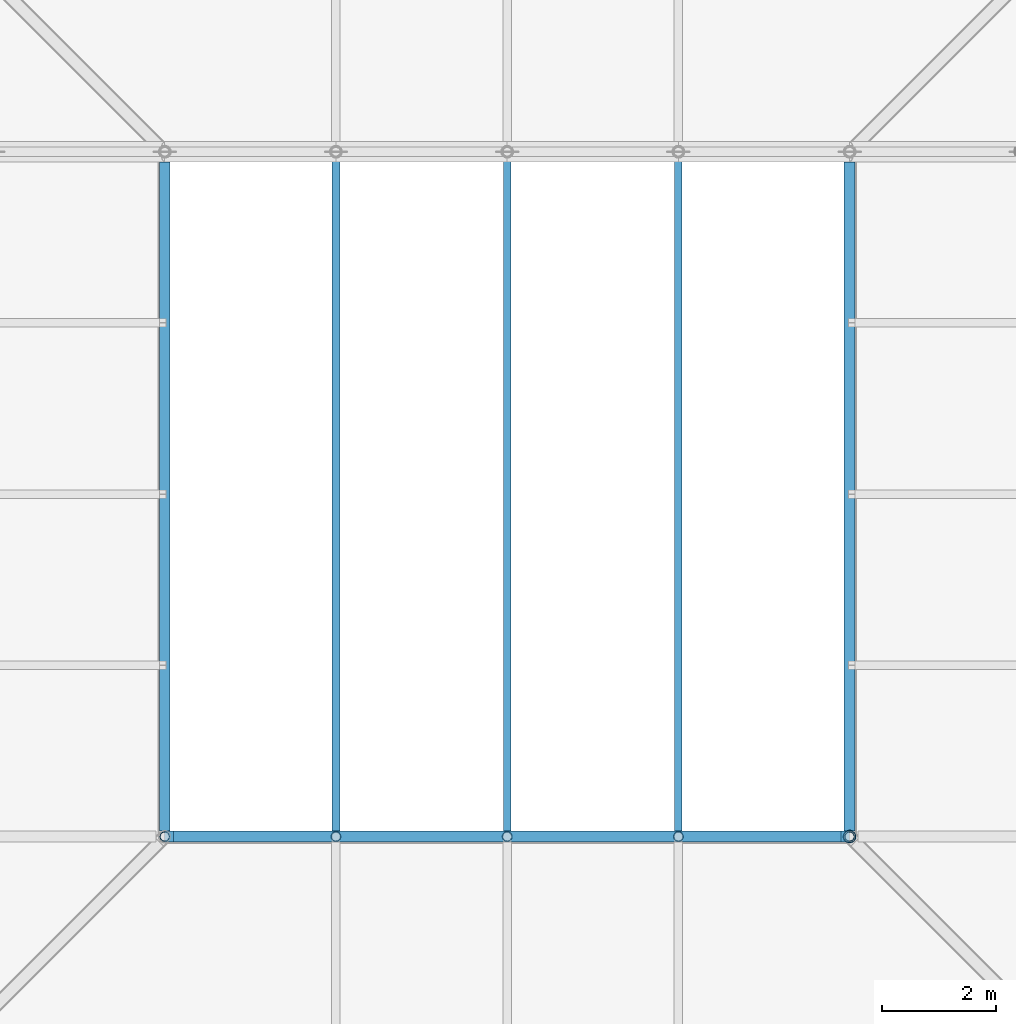
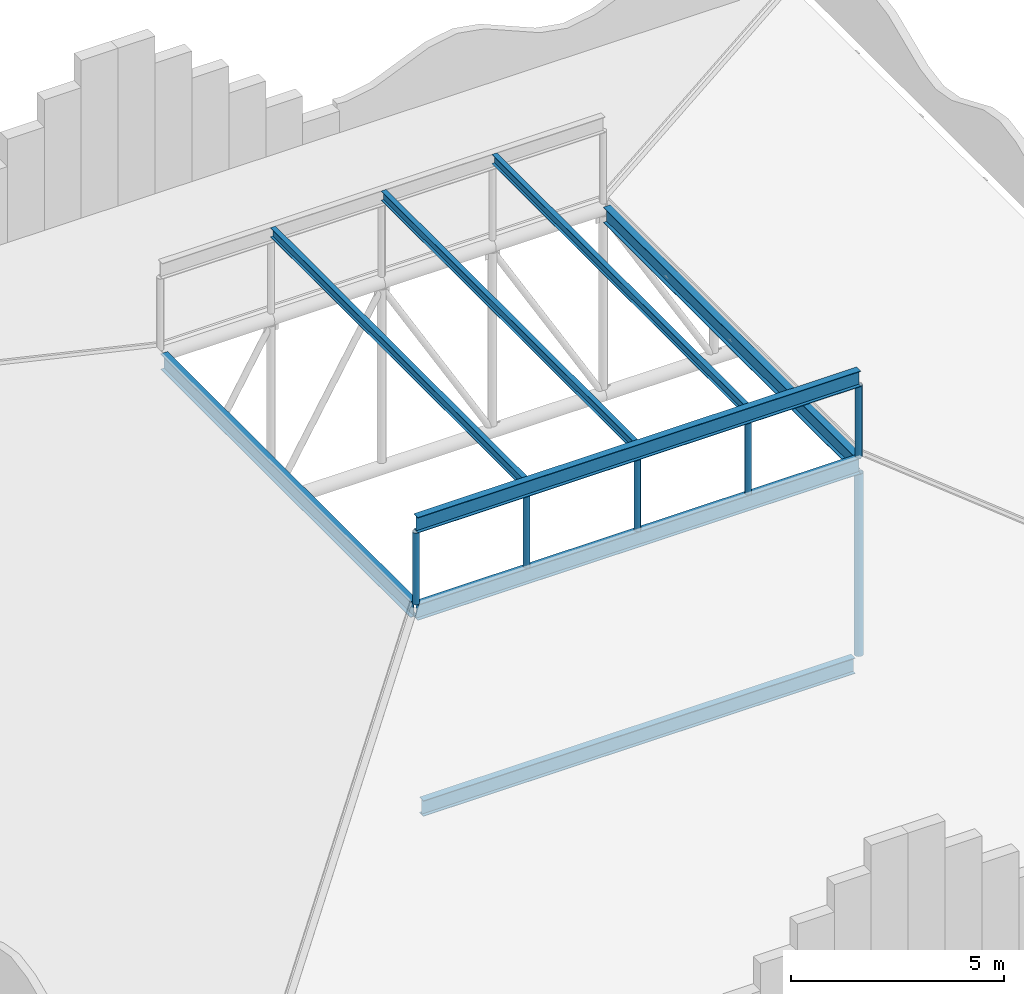
# One storey, part 229 of 321: 9 members, 5 beams.
"""IFC4 building model written with IfcOpenShell, lengths in metres."""

from ifc_helpers import new_model, si_unit, direction, frame, origin, origin_2d, place, context, subcontext, project, spatial, hollow_circle, i_section, extrude, material, material_profile, profile_set, type_object, element, save


model = new_model("IFC4")

# Units and contexts
model_context = context("Model", 3, precision=1e-05, world=origin(), true_north=direction((0.0, 1.0)))
body_context = subcontext(model_context, "Body", "Model", "MODEL_VIEW")
ifc_project = project(units=[si_unit("LENGTHUNIT", "METRE"), si_unit("AREAUNIT", "SQUARE_METRE"), si_unit("VOLUMEUNIT", "CUBIC_METRE"), si_unit("PLANEANGLEUNIT", "RADIAN"), si_unit("MASSUNIT", "GRAM", prefix="KILO")], contexts=[model_context])

# Site, building, storey
site_placement = place(None, origin())
site = spatial("IfcSite", under=ifc_project, at=site_placement, CompositionType="ELEMENT")
building_placement = place(site_placement, origin())
building = spatial("IfcBuilding", under=site, at=building_placement, Name="Ravi Spectrum Wholesale Market", CompositionType="ELEMENT")
storey_placement = place(building_placement, frame((0.0, 0.0, 10.800048828125)))
storey = spatial("IfcBuildingStorey", under=building, at=storey_placement, Name="L02", CompositionType="ELEMENT", Elevation=10.800048828125)

# Members
ifc_material_1 = material(Name="Steel S355", Category="steel")
ifc_material_profile_1 = material_profile(ifc_material_1, hollow_circle(Radius=0.084228515625, WallThickness=0.00634765625, at=origin_2d()))
ifc_profile_set_1 = profile_set([ifc_material_profile_1], Name="Steel S355")
member_type_1 = type_object("IfcMemberType", Name="CHS 168.3x6.3 post", PredefinedType="POST", material=ifc_profile_set_1)
for number, where, z_axis, x_axis, name in (
    (1, (174.0, 210.0, 5.668701171875), (0.0, 0.0, 1.0), (1.0, 0.0, 0.0), "AU-MB-L02-075"),
    (2, (177.0, 210.0, 5.668701171875), (0.0, 0.0, 1.0), (1.0, 0.0, 0.0), "AU-MB-L02-077"),
    (3, (180.0, 210.0, 5.668701171875), (0.0, 0.0, 1.0), (1.0, 0.0, 0.0), "AU-MB-L02-079"),
    (4, (183.0, 210.0, 5.668701171875), (0.0, 0.0, 1.0), (1.0, 0.0, 0.0), "AU-MB-L02-081"),
    (5, (186.0, 210.0, 5.668701171875), (0.0, 0.0, 1.0), (1.0, 0.0, 0.0), "AU-MB-L02-083"),
):
    element("IfcMember", number, at=place(storey_placement, frame(where, z_axis=z_axis, x_axis=x_axis)), inside=storey, type_object=member_type_1, Name=name, PredefinedType="POST", context=body_context, shape_type="SweptSolid", body=[
        extrude(hollow_circle(Radius=0.084228515625, WallThickness=0.00634765625, at=origin_2d()), origin(), (0.0, 0.0, 1.0), 2.05126953125),
    ])
ifc_material_2 = material(Name="Steel S355", Category="steel")
ifc_material_profile_2 = material_profile(ifc_material_2, hollow_circle(Radius=0.109619140625, WallThickness=0.008056640625, at=origin_2d()))
ifc_profile_set_2 = profile_set([ifc_material_profile_2], Name="Steel S355")
member_type_2 = type_object("IfcMemberType", Name="CHS 219.1x8 post", PredefinedType="POST", material=ifc_profile_set_2)
member_placement = place(storey_placement, frame((186.0, 210.0, 0.0), z_axis=(0.0, 0.0, 1.0), x_axis=(1.0, 0.0, 0.0)))
element("IfcMember", 6, at=member_placement, inside=storey, type_object=member_type_2, Name="AU-MB-L02-074", PredefinedType="POST", context=body_context, shape_type="SweptSolid", body=[
    extrude(hollow_circle(Radius=0.109619140625, WallThickness=0.008056640625, at=origin_2d()), origin(), (0.0, 0.0, 1.0), 5.218505859375),
])
ifc_material_3 = material(Name="Steel S355", Category="steel")
ifc_material_profile_3 = material_profile(ifc_material_3, i_section(OverallWidth=0.135009765625, OverallDepth=0.27001953125, WebThickness=0.006591796875, FlangeThickness=0.01025390625, at=origin_2d()))
ifc_profile_set_3 = profile_set([ifc_material_profile_3], Name="Steel S355")
member_type_3 = type_object("IfcMemberType", Name="IPE 270 purlin", PredefinedType="PURLIN", material=ifc_profile_set_3)
for number, where, z_axis, x_axis, name in (
    (7, (177.0, 210.094970703125, 8.034912109375), (0.0, 1.0, 0.0), (-1.0, 0.0, 0.0), "AU-MB-L02-085"),
    (8, (180.0, 210.094970703125, 8.034912109375), (0.0, 1.0, 0.0), (-1.0, 0.0, 0.0), "AU-MB-L02-086"),
    (9, (183.0, 210.094970703125, 8.034912109375), (0.0, 1.0, 0.0), (-1.0, 0.0, 0.0), "AU-MB-L02-087"),
):
    element("IfcMember", number, at=place(storey_placement, frame(where, z_axis=z_axis, x_axis=x_axis)), inside=storey, type_object=member_type_3, Name=name, PredefinedType="PURLIN", context=body_context, shape_type="SweptSolid", body=[
        extrude(i_section(OverallWidth=0.135009765625, OverallDepth=0.27001953125, WebThickness=0.006591796875, FlangeThickness=0.01025390625, at=origin_2d()), origin(), (0.0, 0.0, 1.0), 11.81005859375),
    ])

# Beams
ifc_material_4 = material(Name="Steel S355", Category="steel")
ifc_material_profile_4 = material_profile(ifc_material_4, i_section(OverallWidth=0.18994140625, OverallDepth=0.449951171875, WebThickness=0.009521484375, FlangeThickness=0.0146484375, at=origin_2d()))
ifc_profile_set_4 = profile_set([ifc_material_profile_4], Name="Steel S355")
beam_type = type_object("IfcBeamType", Name="IPE 450 girder", PredefinedType="BEAM", material=ifc_profile_set_4)
beam_1_placement = place(storey_placement, frame((174.14990234375, 210.0, -0.22509765625), z_axis=(1.0, 0.0, 0.0), x_axis=(0.0, 1.0, 0.0)))
element("IfcBeam", 10, at=beam_1_placement, inside=storey, type_object=beam_type, Name="AU-BM-L02-008", PredefinedType="BEAM", context=body_context, shape_type="SweptSolid", body=[
    extrude(i_section(OverallWidth=0.18994140625, OverallDepth=0.449951171875, WebThickness=0.009521484375, FlangeThickness=0.0146484375, at=origin_2d()), origin(), (0.0, 0.0, 1.0), 11.7001953125),
])
beam_2_placement = place(storey_placement, frame((174.0, 210.0, 5.443603515625), z_axis=(1.0, 0.0, 0.0), x_axis=(0.0, 1.0, 0.0)))
element("IfcBeam", 11, at=beam_2_placement, inside=storey, type_object=beam_type, Name="AU-BM-L02-020", PredefinedType="BEAM", context=body_context, shape_type="SweptSolid", body=[
    extrude(i_section(OverallWidth=0.18994140625, OverallDepth=0.449951171875, WebThickness=0.009521484375, FlangeThickness=0.0146484375, at=origin_2d()), origin(), (0.0, 0.0, 1.0), 12.0),
])
for number, where, z_axis, x_axis, name in (
    (12, (174.0, 210.094970703125, 5.443603515625), (0.0, 1.0, 0.0), (-1.0, 0.0, 0.0), "AU-BM-L02-021"),
    (13, (186.0, 210.094970703125, 5.443603515625), (0.0, 1.0, 0.0), (-1.0, 0.0, 0.0), "AU-BM-L02-022"),
):
    element("IfcBeam", number, at=place(storey_placement, frame(where, z_axis=z_axis, x_axis=x_axis)), inside=storey, type_object=beam_type, Name=name, PredefinedType="BEAM", context=body_context, shape_type="SweptSolid", body=[
        extrude(i_section(OverallWidth=0.18994140625, OverallDepth=0.449951171875, WebThickness=0.009521484375, FlangeThickness=0.0146484375, at=origin_2d()), origin(), (0.0, 0.0, 1.0), 11.72705078125),
    ])
beam_3_placement = place(storey_placement, frame((174.0, 210.0, 7.945068359375), z_axis=(1.0, 0.0, 0.0), x_axis=(0.0, 1.0, 0.0)))
element("IfcBeam", 14, at=beam_3_placement, inside=storey, type_object=beam_type, Name="AU-BM-L02-023", PredefinedType="BEAM", context=body_context, shape_type="SweptSolid", body=[
    extrude(i_section(OverallWidth=0.18994140625, OverallDepth=0.449951171875, WebThickness=0.009521484375, FlangeThickness=0.0146484375, at=origin_2d()), origin(), (0.0, 0.0, 1.0), 12.0),
])

save(model, "model.ifc")
